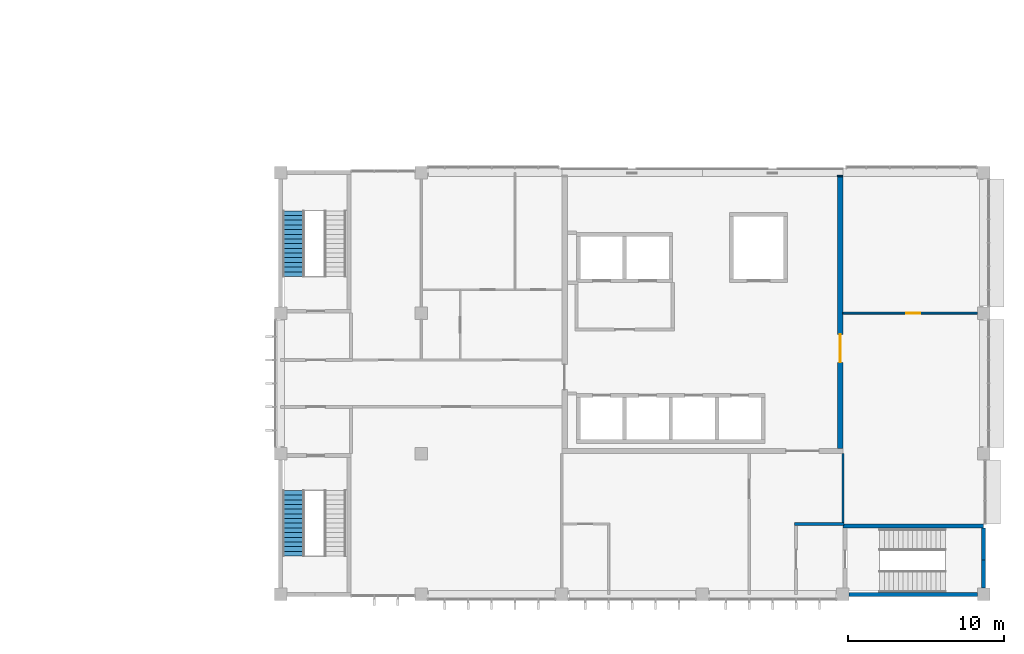
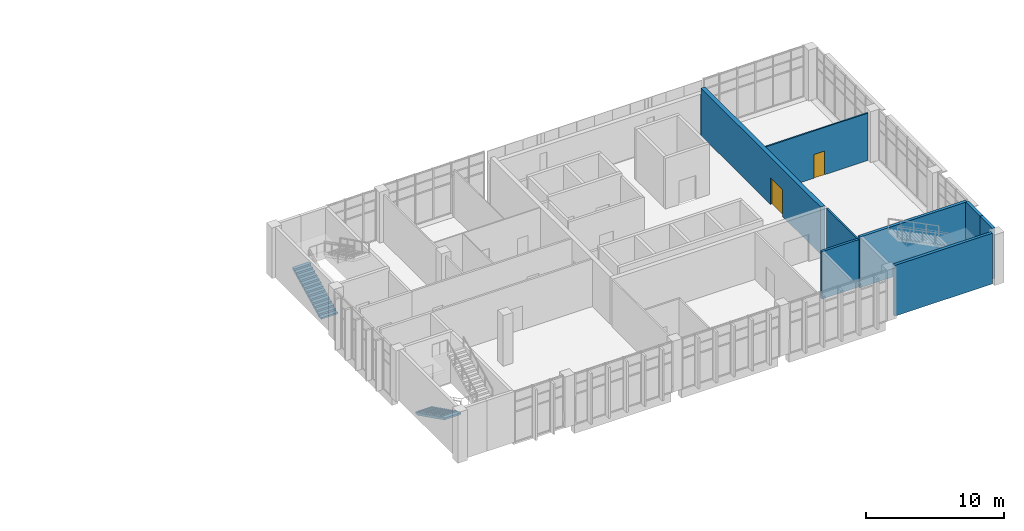
# One storey, part 30 of 40: 9 walls, 2 doors, 2 stair flights, 2 openings, 2 elements without a shape of their own.
"""IFC4 building model written with IfcOpenShell, lengths in metres."""

from ifc_helpers import new_model, si_unit, direction, frame, frame_2d, origin, place, context, subcontext, project, spatial, polyline, rectangle, outline, extrude, material, layer, layer_set, type_object, element, fill, aggregate, save


model = new_model("IFC4")

# Units and contexts
model_context = context("Model", 3, precision=1e-05, world=origin(), true_north=direction((0.0, 1.0)))
body_context = subcontext(model_context, "Body", "Model", "MODEL_VIEW")
ifc_project = project(units=[si_unit("LENGTHUNIT", "METRE"), si_unit("AREAUNIT", "SQUARE_METRE"), si_unit("VOLUMEUNIT", "CUBIC_METRE"), si_unit("PLANEANGLEUNIT", "RADIAN"), si_unit("MASSUNIT", "GRAM", prefix="KILO")], contexts=[model_context])

# Site, building, storey
site_placement = place(None, origin())
site = spatial("IfcSite", under=ifc_project, at=site_placement, CompositionType="ELEMENT")
building_placement = place(site_placement, origin())
building = spatial("IfcBuilding", under=site, at=building_placement, Name="Guidao Yard Department Store", CompositionType="ELEMENT")
storey_placement = place(building_placement, frame((0.0, 0.0, 24.0)))
storey = spatial("IfcBuildingStorey", under=building, at=storey_placement, Name="L05", CompositionType="ELEMENT", Elevation=24.0)

# Wall
ifc_material_1 = material(Name="Gypsum Board")
ifc_layer_1 = layer(ifc_material_1, 0.14990234375)
ifc_layer_set_1 = layer_set([ifc_layer_1], Name="Corridor Partition 150 Gypsum Board EI 60")
wall_type_1 = type_object("IfcWallType", Name="Corridor Partition 150 Gypsum Board EI 60", PredefinedType="PARTITIONING", material=ifc_layer_set_1)
wall_1_placement = place(storey_placement, frame((162.0, 4.60009765625, 0.0), z_axis=(0.0, 0.0, 1.0), x_axis=(0.0, 1.0, 0.0)))
element("IfcWall", 1, at=wall_1_placement, inside=storey, type_object=wall_type_1, Name="pt.wall.L05.0028", PredefinedType="PARTITIONING", context=body_context, shape_type="SweptSolid", body=[
    extrude(rectangle(XDim=4.39990234375, YDim=0.14990234375, at=frame_2d((2.199951171875, 0.0))), origin(), (0.0, 0.0, 1.0), 4.199951171875),
])

# Wall, opening, door
ifc_material_2 = material(Name="Gypsum Board")
ifc_layer_2 = layer(ifc_material_2, 0.1201171875)
ifc_layer_set_2 = layer_set([ifc_layer_2], Name="Partition 120 Gypsum Board EI 45")
wall_type_2 = type_object("IfcWallType", Name="Partition 120 Gypsum Board EI 45", PredefinedType="PARTITIONING", material=ifc_layer_set_2)
wall_2_placement = place(storey_placement, frame((162.0, 18.0, 0.0), z_axis=(0.0, 0.0, 1.0), x_axis=(1.0, 0.0, 0.0)))
wall_2 = element("IfcWall", 2, at=wall_2_placement, inside=storey, type_object=wall_type_2, Name="pt.wall.L05.0010", PredefinedType="PARTITIONING", context=body_context, shape_type="SweptSolid", body=[
    extrude(rectangle(XDim=8.60009765625, YDim=0.1201171875, at=frame_2d((4.300048828125, 0.0))), origin(), (0.0, 0.0, 1.0), 4.199951171875),
])
opening_1_placement = place(wall_2_placement, frame((4.050048828125, 0.0, 0.0)))
opening_1 = element("IfcOpeningElement", 3, at=opening_1_placement, cuts=wall_2, Name="Opening L05-415", PredefinedType="OPENING", context=body_context, shape_type="SweptSolid", body=[
    extrude(rectangle(XDim=0.89990234375, YDim=2.10009765625, at=frame_2d((0.449951171875, 1.050048828125))), frame((0.0, 0.070068359375, 0.0), z_axis=(0.0, -1.0, 0.0), x_axis=(1.0, 0.0, 0.0)), (0.0, 0.0, 1.0), 0.14013671875),
])
ifc_material_3 = material(Name="Timber door leaf with Steel Q235 frame", Category="steel")
door_type_1 = type_object("IfcDoorType", Name="Door 900 x 2100 NOT RATED Single Leaf", OperationType="SINGLE_SWING_LEFT", PredefinedType="DOOR", material=ifc_material_3)
door_1_placement = place(opening_1_placement, origin())
door_1 = element("IfcDoor", 4, at=door_1_placement, inside=storey, type_object=door_type_1, Name="Door L05-415", OperationType="SINGLE_SWING_RIGHT", OverallHeight=2.10009765625, OverallWidth=0.89990234375, PredefinedType="DOOR", context=body_context, shape_type="SweptSolid", body=[
    extrude(rectangle(XDim=0.89990234375, YDim=2.10009765625, at=frame_2d((0.449951171875, 1.050048828125))), frame((0.0, 0.02490234375, 0.0), z_axis=(0.0, -1.0, 0.0), x_axis=(1.0, 0.0, 0.0)), (0.0, 0.0, 1.0), 0.050048828125),
])
fill(opening_1, door_1)

# Wall
ifc_material_4 = material(Name="Autoclaved aerated concrete block A3.5 B06", Category="concrete")
ifc_layer_3 = layer(ifc_material_4, 0.199951171875)
ifc_layer_set_3 = layer_set([ifc_layer_3], Name="Shaft Wall 200 Autoclaved Block EI 120")
wall_type_3 = type_object("IfcWallType", Name="Shaft Wall 200 Autoclaved Block EI 120", PredefinedType="PARTITIONING", material=ifc_layer_set_3)
wall_3_placement = place(storey_placement, frame((158.89990234375, 4.5, 0.0), z_axis=(0.0, 0.0, 1.0), x_axis=(1.0, 0.0, 0.0)))
element("IfcWall", 5, at=wall_3_placement, inside=storey, type_object=wall_type_3, Name="pt.wall.L05.0002", PredefinedType="PARTITIONING", context=body_context, shape_type="SweptSolid", body=[
    extrude(rectangle(XDim=3.175048828125, YDim=0.199951171875, at=frame_2d((1.58740234375, 0.0))), origin(), (0.0, 0.0, 1.0), 4.199951171875),
])

# Wall, opening, door
ifc_material_5 = material(Name="Concrete C50", Category="concrete")
ifc_layer_4 = layer(ifc_material_5, 0.35009765625)
ifc_layer_set_4 = layer_set([ifc_layer_4], Name="Shear Wall 350 Concrete C50")
wall_type_4 = type_object("IfcWallType", Name="Shear Wall 350 Concrete C50", PredefinedType="SHEAR", material=ifc_layer_set_4)
wall_4_placement = place(storey_placement, frame((161.824951171875, 9.35009765625, 0.0), z_axis=(0.0, 0.0, 1.0), x_axis=(0.0, 1.0, 0.0)))
wall_4 = element("IfcWall", 6, at=wall_4_placement, inside=storey, type_object=wall_type_4, Name="pt.wall.L05.0027", PredefinedType="SHEAR", context=body_context, shape_type="SweptSolid", body=[
    extrude(rectangle(XDim=17.39990234375, YDim=0.35009765625, at=frame_2d((8.699951171875, 0.0))), origin(), (0.0, 0.0, 1.0), 4.199951171875),
])
opening_2_placement = place(wall_4_placement, frame((7.300048828125, 0.0, 0.0), z_axis=(0.0, 0.0, 1.0), x_axis=(-1.0, 0.0, 0.0)))
opening_2 = element("IfcOpeningElement", 7, at=opening_2_placement, cuts=wall_4, Name="Opening L05-405", PredefinedType="OPENING", context=body_context, shape_type="SweptSolid", body=[
    extrude(rectangle(XDim=1.800048828125, YDim=2.39990234375, at=frame_2d((0.89990234375, 1.199951171875))), frame((0.0, 0.18505859375, 0.0), z_axis=(0.0, -1.0, 0.0), x_axis=(1.0, 0.0, 0.0)), (0.0, 0.0, 1.0), 0.3701171875),
])
ifc_material_6 = material(Name="Timber door leaf with Steel Q235 frame", Category="steel")
door_type_2 = type_object("IfcDoorType", Name="Door 1800 x 2400 FD60 Double Leaf", OperationType="DOUBLE_DOOR_SINGLE_SWING", PredefinedType="DOOR", material=ifc_material_6)
door_2_placement = place(opening_2_placement, origin())
door_2 = element("IfcDoor", 8, at=door_2_placement, inside=storey, type_object=door_type_2, Name="Door L05-405", OperationType="DOUBLE_DOOR_SINGLE_SWING", OverallHeight=2.39990234375, OverallWidth=1.800048828125, PredefinedType="DOOR", context=body_context, shape_type="SweptSolid", body=[
    extrude(rectangle(XDim=1.800048828125, YDim=2.39990234375, at=frame_2d((0.89990234375, 1.199951171875))), frame((0.0, 0.02490234375, 0.0), z_axis=(0.0, -1.0, 0.0), x_axis=(1.0, 0.0, 0.0)), (0.0, 0.0, 1.0), 0.050048828125),
])
fill(opening_2, door_2)

# Walls
wall_5_placement = place(storey_placement, frame((161.824951171875, 26.75, 0.0), z_axis=(0.0, 0.0, 1.0), x_axis=(0.0, 1.0, 0.0)))
element("IfcWall", 9, at=wall_5_placement, inside=storey, type_object=wall_type_4, Name="pt.wall.L05.0027a", PredefinedType="SHEAR", context=body_context, shape_type="SweptSolid", body=[
    extrude(rectangle(XDim=0.074951171875, YDim=0.35009765625, at=frame_2d((0.03759765625, 0.0))), origin(), (0.0, 0.0, 1.0), 3.60009765625),
])
ifc_material_7 = material(Name="Concrete C40", Category="concrete")
ifc_layer_5 = layer(ifc_material_7, 0.25)
ifc_layer_set_5 = layer_set([ifc_layer_5], Name="Wall RC 250 C40 stair and shaft")
wall_type_5 = type_object("IfcWallType", Name="Wall RC 250 C40 stair and shaft", PredefinedType="SHEAR", material=ifc_layer_set_5)
wall_6_placement = place(storey_placement, frame((162.39990234375, 0.0, 0.0), z_axis=(0.0, 0.0, 1.0), x_axis=(1.0, 0.0, 0.0)))
element("IfcWall", 10, at=wall_6_placement, inside=storey, type_object=wall_type_5, Name="Stair wall SO2", PredefinedType="SHEAR", context=body_context, shape_type="SweptSolid", body=[
    extrude(rectangle(XDim=8.2001953125, YDim=0.25, at=frame_2d((4.10009765625, 0.0))), origin(), (0.0, 0.0, 1.0), 4.5),
])
wall_7_placement = place(storey_placement, frame((162.0, 4.375, 0.0), z_axis=(0.0, 0.0, 1.0), x_axis=(1.0, 0.0, 0.0)))
element("IfcWall", 11, at=wall_7_placement, inside=storey, type_object=wall_type_5, Name="Stair wall SO2", PredefinedType="SHEAR", context=body_context, shape_type="SweptSolid", body=[
    extrude(rectangle(XDim=9.0, YDim=0.25, at=frame_2d((4.5, 0.0))), origin(), (0.0, 0.0, 1.0), 4.5),
])
wall_8_placement = place(storey_placement, frame((171.0, 0.39990234375, 0.0), z_axis=(0.0, 0.0, 1.0), x_axis=(0.0, 1.0, 0.0)))
element("IfcWall", 12, at=wall_8_placement, inside=storey, type_object=wall_type_5, Name="Stair wall SO2", PredefinedType="SHEAR", context=body_context, shape_type="SweptSolid", body=[
    extrude(rectangle(XDim=1.7880859375, YDim=0.25, at=frame_2d((0.89404296875, 0.0))), origin(), (0.0, 0.0, 1.0), 4.5),
])
wall_9_placement = place(storey_placement, frame((171.0, 2.18798828125, 0.0), z_axis=(0.0, 0.0, 1.0), x_axis=(0.0, 1.0, 0.0)))
element("IfcWall", 13, at=wall_9_placement, inside=storey, type_object=wall_type_5, Name="Stair wall SO2", PredefinedType="SHEAR", context=body_context, shape_type="SweptSolid", body=[
    extrude(rectangle(XDim=2.06201171875, YDim=0.25, at=frame_2d((1.031005859375, 0.0))), origin(), (0.0, 0.0, 1.0), 4.5),
])

# Stair, stair flight
ifc_material_8 = material(Name="Concrete C35", Category="concrete")
stair_type = type_object("IfcStairType", Name="Stair half-turn two-flight 1400 wide 4.5 m rise", PredefinedType="HALF_TURN_STAIR", material=ifc_material_8)
stair_1_placement = place(storey_placement, origin())
stair_1 = element("IfcStair", 14, at=stair_1_placement, inside=storey, type_object=stair_type, Name="Stair O1 L05 to L06", PredefinedType="HALF_TURN_STAIR")
ifc_material_9 = material(Name="Concrete C35", Category="concrete")
stair_flight_type = type_object("IfcStairFlightType", Name="Stair flight RC straight 1400 wide 15 risers x 300 going C35", PredefinedType="STRAIGHT", material=ifc_material_9)
stair_flight_1_placement = place(storey_placement, frame((126.824951171875, 6.64990234375, 0.0), z_axis=(0.0, 0.0, 1.0), x_axis=(0.0, -1.0, 0.0)))
stair_flight_1 = element("IfcStairFlight", 15, at=stair_flight_1_placement, type_object=stair_flight_type, Name="SO1-L05 flight 1", NumberOfRisers=15, NumberOfTreads=14, PredefinedType="STRAIGHT", RiserHeight=0.15, TreadLength=0.3, context=body_context, shape_type="SweptSolid", body=[
    extrude(outline(polyline([(0.0, 0.0), (0.0, 0.14990234375), (0.300048828125, 0.14990234375), (0.300048828125, 0.300048828125), (0.60009765625, 0.300048828125), (0.60009765625, 0.449951171875), (0.89990234375, 0.449951171875), (0.89990234375, 0.60009765625), (1.199951171875, 0.60009765625), (1.199951171875, 0.75), (1.5, 0.75), (1.5, 0.89990234375), (1.800048828125, 0.89990234375), (1.800048828125, 1.050048828125), (2.10009765625, 1.050048828125), (2.10009765625, 1.199951171875), (2.39990234375, 1.199951171875), (2.39990234375, 1.35009765625), (2.699951171875, 1.35009765625), (2.699951171875, 1.5), (3.0, 1.5), (3.0, 1.64990234375), (3.300048828125, 1.64990234375), (3.300048828125, 1.800048828125), (3.60009765625, 1.800048828125), (3.60009765625, 1.949951171875), (3.89990234375, 1.949951171875), (3.89990234375, 2.10009765625), (4.199951171875, 2.10009765625), (4.199951171875, 2.25), (4.199951171875, 1.932373046875), (0.335205078125, 0.0), (0.0, 0.0)])), frame((0.0, 0.699951171875, 0.0), z_axis=(0.0, -1.0, 0.0), x_axis=(1.0, 0.0, 0.0)), (0.0, 0.0, 1.0), 1.39990234375),
])
aggregate(stair_1, [stair_flight_1])

stair_2_placement = place(storey_placement, origin())
stair_2 = element("IfcStair", 16, at=stair_2_placement, inside=storey, type_object=stair_type, Name="Stair O3 L05 to L06", PredefinedType="HALF_TURN_STAIR")
stair_flight_2_placement = place(storey_placement, frame((126.824951171875, 20.35009765625, 0.0), z_axis=(0.0, 0.0, 1.0), x_axis=(0.0, 1.0, 0.0)))
stair_flight_2 = element("IfcStairFlight", 17, at=stair_flight_2_placement, type_object=stair_flight_type, Name="SO3-L05 flight 1", NumberOfRisers=15, NumberOfTreads=14, PredefinedType="STRAIGHT", RiserHeight=0.15, TreadLength=0.3, context=body_context, shape_type="SweptSolid", body=[
    extrude(outline(polyline([(0.0, 0.0), (0.0, 0.14990234375), (0.300048828125, 0.14990234375), (0.300048828125, 0.300048828125), (0.60009765625, 0.300048828125), (0.60009765625, 0.449951171875), (0.89990234375, 0.449951171875), (0.89990234375, 0.60009765625), (1.199951171875, 0.60009765625), (1.199951171875, 0.75), (1.5, 0.75), (1.5, 0.89990234375), (1.800048828125, 0.89990234375), (1.800048828125, 1.050048828125), (2.10009765625, 1.050048828125), (2.10009765625, 1.199951171875), (2.39990234375, 1.199951171875), (2.39990234375, 1.35009765625), (2.699951171875, 1.35009765625), (2.699951171875, 1.5), (3.0, 1.5), (3.0, 1.64990234375), (3.300048828125, 1.64990234375), (3.300048828125, 1.800048828125), (3.60009765625, 1.800048828125), (3.60009765625, 1.949951171875), (3.89990234375, 1.949951171875), (3.89990234375, 2.10009765625), (4.199951171875, 2.10009765625), (4.199951171875, 2.25), (4.199951171875, 1.932373046875), (0.335205078125, 0.0), (0.0, 0.0)])), frame((0.0, 0.699951171875, 0.0), z_axis=(0.0, -1.0, 0.0), x_axis=(1.0, 0.0, 0.0)), (0.0, 0.0, 1.0), 1.39990234375),
])
aggregate(stair_2, [stair_flight_2])

save(model, "model.ifc")
